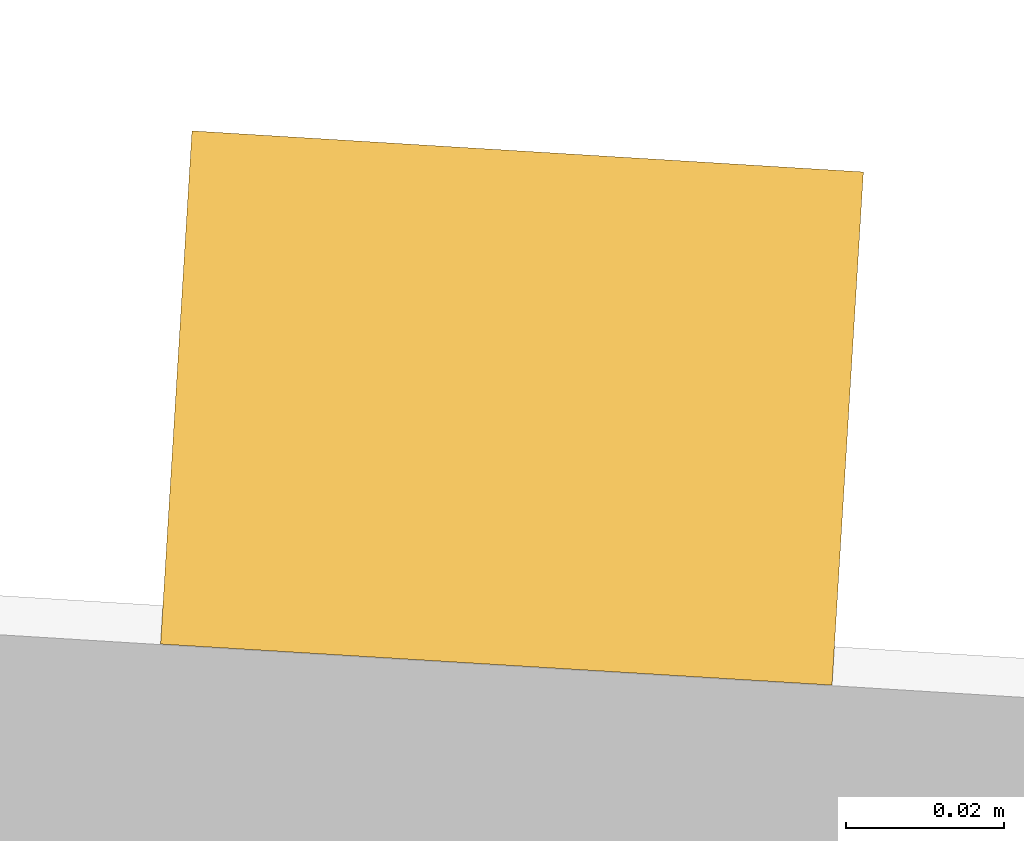
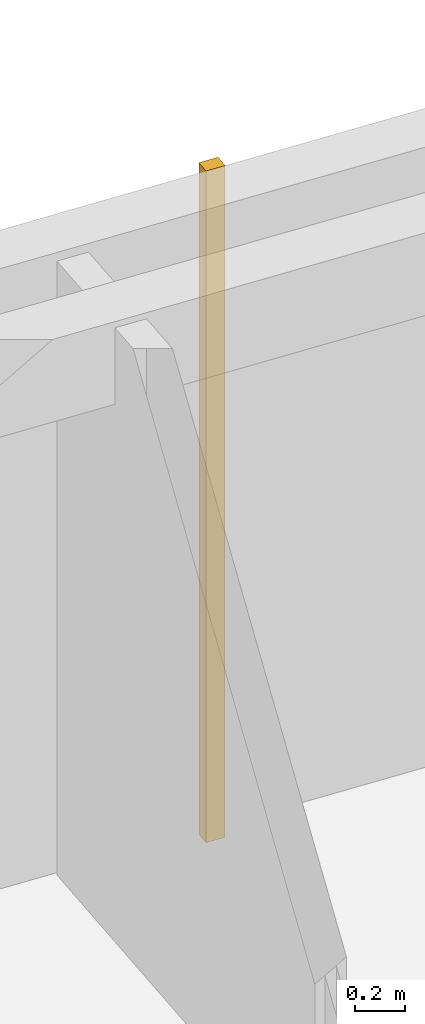
# One storey, part 113 of 127: 1 covering.
"""IFC4 building model written with IfcOpenShell, lengths in metres."""

from ifc_helpers import new_model, si_unit, direction, frame, origin, origin_2d, place, context, subcontext, project, spatial, rectangle, extrude, material, layer, layer_set, type_object, element, save


model = new_model("IFC4")

# Units and contexts
model_context = context("Model", 3, precision=1e-05, world=origin(), true_north=direction((0.0, 1.0)))
body_context = subcontext(model_context, "Body", "Model", "MODEL_VIEW")
ifc_project = project(units=[si_unit("LENGTHUNIT", "METRE"), si_unit("AREAUNIT", "SQUARE_METRE"), si_unit("VOLUMEUNIT", "CUBIC_METRE"), si_unit("PLANEANGLEUNIT", "RADIAN"), si_unit("MASSUNIT", "GRAM", prefix="KILO")], contexts=[model_context])

# Site, building, storey
site_placement = place(None, origin())
site = spatial("IfcSite", under=ifc_project, at=site_placement, CompositionType="ELEMENT")
building_placement = place(site_placement, origin())
building = spatial("IfcBuilding", under=site, at=building_placement, Name="Kestramere Prow Commons", CompositionType="ELEMENT")
storey_placement = place(building_placement, frame((0.0, 0.0, 8.39990234375)))
storey = spatial("IfcBuildingStorey", under=building, at=storey_placement, Name="L02", CompositionType="ELEMENT", Elevation=8.39990234375)

# Covering
ifc_material = material(Name="Weathered Zinc-Titanium Standing-Seam Cladding")
ifc_layer = layer(ifc_material, 0.074951171875)
ifc_layer_set = layer_set([ifc_layer], Name="Weathered Zinc-Titanium Standing-Seam Cladding")
covering_type = type_object("IfcCoveringType", Name="COV-CLAD-SEAM", PredefinedType="CLADDING", material=ifc_layer_set)
covering_placement = place(storey_placement, frame((95.6328125, 64.60546875, -0.25), z_axis=(0.0, 0.0, 1.0), x_axis=(0.998134798422, -0.061048539535, 0.0)))
element("IfcCovering", 1, at=covering_placement, inside=storey, type_object=covering_type, Name="EW-C-L02-N-4 Standing-Seam Rib 3", PredefinedType="CLADDING", context=body_context, shape_type="SweptSolid", body=[
    extrude(rectangle(XDim=0.0849609375, YDim=0.06494140625, at=origin_2d()), origin(), (0.0, 0.0, 1.0), 3.25),
])

save(model, "model.ifc")
